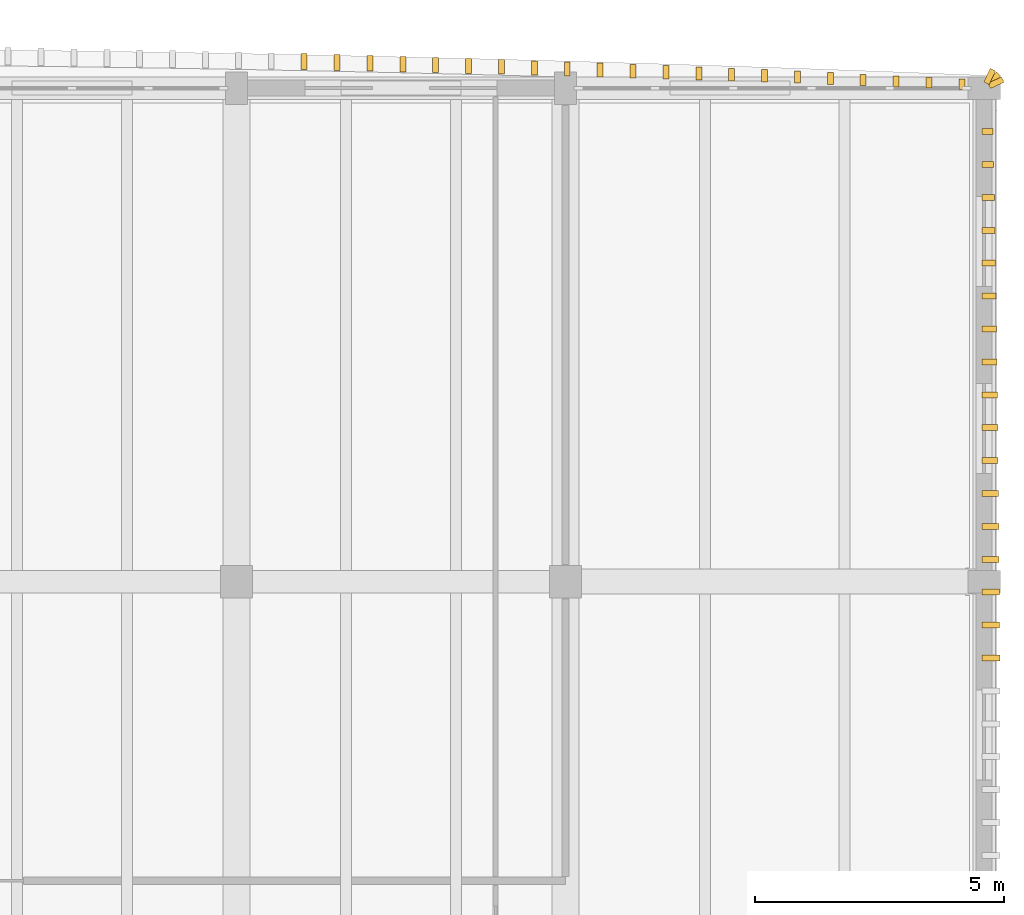
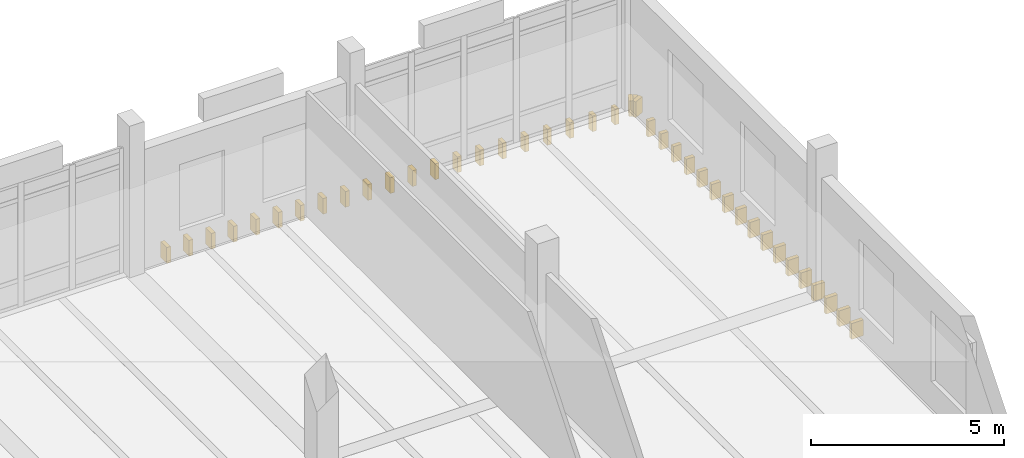
# One storey, part 37 of 37: 41 coverings.
"""IFC4 building model written with IfcOpenShell, lengths in metres."""

from ifc_helpers import new_model, si_unit, direction, frame, origin, origin_2d, place, context, subcontext, project, spatial, rectangle, extrude, material, layer, layer_set, type_object, element, save


model = new_model("IFC4")

# Units and contexts
model_context = context("Model", 3, precision=1e-05, world=origin(), true_north=direction((0.0, 1.0)))
body_context = subcontext(model_context, "Body", "Model", "MODEL_VIEW")
ifc_project = project(units=[si_unit("LENGTHUNIT", "METRE"), si_unit("AREAUNIT", "SQUARE_METRE"), si_unit("VOLUMEUNIT", "CUBIC_METRE"), si_unit("PLANEANGLEUNIT", "RADIAN"), si_unit("MASSUNIT", "GRAM", prefix="KILO")], contexts=[model_context])

# Site, building, storey
site_placement = place(None, origin())
site = spatial("IfcSite", under=ifc_project, at=site_placement, CompositionType="ELEMENT")
building_placement = place(site_placement, origin())
building = spatial("IfcBuilding", under=site, at=building_placement, Name="Dornvale Research Institute", CompositionType="ELEMENT")
storey_placement = place(building_placement, frame((0.0, 0.0, 29.39990234375)))
storey = spatial("IfcBuildingStorey", under=building, at=storey_placement, Name="L06", CompositionType="ELEMENT", Elevation=29.39990234375)

# Coverings
ifc_material = material(Name="Polychrome Glazed Terracotta Visor Rib Ceramic", Category="masonry")
ifc_layer = layer(ifc_material, 0.1201171875)
ifc_layer_set = layer_set([ifc_layer], Name="Polychrome Glazed Terracotta Visor Rib Ceramic")
covering_type = type_object("IfcCoveringType", Name="Covering_VisorBlade_Low", PredefinedType="CLADDING", material=ifc_layer_set)
covering_1_placement = place(storey_placement, frame((172.9501953125, 122.18017578125, -0.489990234375), z_axis=(0.0, 0.0, 1.0), x_axis=(0.0, 1.0, 0.0)))
element("IfcCovering", 1, at=covering_1_placement, inside=storey, type_object=covering_type, Name="L06 V4 canted glazed terracotta visor blade #3107", PredefinedType="CLADDING", context=body_context, shape_type="SweptSolid", body=[
    extrude(rectangle(XDim=0.205078125, YDim=0.1201171875, at=origin_2d()), origin(), (0.0, 0.0, 1.0), 0.5),
])
covering_2_placement = place(storey_placement, frame((172.290771484375, 122.209716796875, -0.489990234375), z_axis=(0.0, 0.0, 1.0), x_axis=(0.0, 1.0, 0.0)))
element("IfcCovering", 2, at=covering_2_placement, inside=storey, type_object=covering_type, Name="L06 V4 canted glazed terracotta visor blade #3108", PredefinedType="CLADDING", context=body_context, shape_type="SweptSolid", body=[
    extrude(rectangle(XDim=0.212890625, YDim=0.1201171875, at=origin_2d()), origin(), (0.0, 0.0, 1.0), 0.5),
])
covering_3_placement = place(storey_placement, frame((171.63134765625, 122.23876953125, -0.489990234375), z_axis=(0.0, 0.0, 1.0), x_axis=(0.0, 1.0, 0.0)))
element("IfcCovering", 3, at=covering_3_placement, inside=storey, type_object=covering_type, Name="L06 V4 canted glazed terracotta visor blade #3109", PredefinedType="CLADDING", context=body_context, shape_type="SweptSolid", body=[
    extrude(rectangle(XDim=0.219970703125, YDim=0.1201171875, at=origin_2d()), origin(), (0.0, 0.0, 1.0), 0.5),
])
covering_4_placement = place(storey_placement, frame((170.9716796875, 122.2666015625, -0.489990234375), z_axis=(0.0, 0.0, 1.0), x_axis=(0.0, 1.0, 0.0)))
element("IfcCovering", 4, at=covering_4_placement, inside=storey, type_object=covering_type, Name="L06 V4 canted glazed terracotta visor blade #3110", PredefinedType="CLADDING", context=body_context, shape_type="SweptSolid", body=[
    extrude(rectangle(XDim=0.22705078125, YDim=0.1201171875, at=origin_2d()), origin(), (0.0, 0.0, 1.0), 0.5),
])
covering_5_placement = place(storey_placement, frame((170.312255859375, 122.294189453125, -0.489990234375), z_axis=(0.0, 0.0, 1.0), x_axis=(0.0, 1.0, 0.0)))
element("IfcCovering", 5, at=covering_5_placement, inside=storey, type_object=covering_type, Name="L06 V4 canted glazed terracotta visor blade #3111", PredefinedType="CLADDING", context=body_context, shape_type="SweptSolid", body=[
    extrude(rectangle(XDim=0.23388671875, YDim=0.1201171875, at=origin_2d()), origin(), (0.0, 0.0, 1.0), 0.5),
])
covering_6_placement = place(storey_placement, frame((169.652587890625, 122.32080078125, -0.489990234375), z_axis=(0.0, 0.0, 1.0), x_axis=(0.0, 1.0, 0.0)))
element("IfcCovering", 6, at=covering_6_placement, inside=storey, type_object=covering_type, Name="L06 V4 canted glazed terracotta visor blade #3112", PredefinedType="CLADDING", context=body_context, shape_type="SweptSolid", body=[
    extrude(rectangle(XDim=0.240966796875, YDim=0.1201171875, at=origin_2d()), origin(), (0.0, 0.0, 1.0), 0.5),
])
covering_7_placement = place(storey_placement, frame((168.992919921875, 122.3466796875, -0.489990234375), z_axis=(0.0, 0.0, 1.0), x_axis=(0.0, 1.0, 0.0)))
element("IfcCovering", 7, at=covering_7_placement, inside=storey, type_object=covering_type, Name="L06 V4 canted glazed terracotta visor blade #3113", PredefinedType="CLADDING", context=body_context, shape_type="SweptSolid", body=[
    extrude(rectangle(XDim=0.248046875, YDim=0.1201171875, at=origin_2d()), origin(), (0.0, 0.0, 1.0), 0.5),
])
covering_8_placement = place(storey_placement, frame((168.33349609375, 122.3720703125, -0.489990234375), z_axis=(0.0, 0.0, 1.0), x_axis=(0.0, 1.0, 0.0)))
element("IfcCovering", 8, at=covering_8_placement, inside=storey, type_object=covering_type, Name="L06 V4 canted glazed terracotta visor blade #3114", PredefinedType="CLADDING", context=body_context, shape_type="SweptSolid", body=[
    extrude(rectangle(XDim=0.25390625, YDim=0.1201171875, at=origin_2d()), origin(), (0.0, 0.0, 1.0), 0.5),
])
covering_9_placement = place(storey_placement, frame((167.673583984375, 122.39599609375, -0.489990234375), z_axis=(0.0, 0.0, 1.0), x_axis=(0.0, 1.0, 0.0)))
element("IfcCovering", 9, at=covering_9_placement, inside=storey, type_object=covering_type, Name="L06 V4 canted glazed terracotta visor blade #3115", PredefinedType="CLADDING", context=body_context, shape_type="SweptSolid", body=[
    extrude(rectangle(XDim=0.260009765625, YDim=0.1201171875, at=origin_2d()), origin(), (0.0, 0.0, 1.0), 0.5),
])
covering_10_placement = place(storey_placement, frame((167.01416015625, 122.419921875, -0.489990234375), z_axis=(0.0, 0.0, 1.0), x_axis=(0.0, 1.0, 0.0)))
element("IfcCovering", 10, at=covering_10_placement, inside=storey, type_object=covering_type, Name="L06 V4 canted glazed terracotta visor blade #3116", PredefinedType="CLADDING", context=body_context, shape_type="SweptSolid", body=[
    extrude(rectangle(XDim=0.26611328125, YDim=0.1201171875, at=origin_2d()), origin(), (0.0, 0.0, 1.0), 0.5),
])
covering_11_placement = place(storey_placement, frame((166.3544921875, 122.44287109375, -0.489990234375), z_axis=(0.0, 0.0, 1.0), x_axis=(0.0, 1.0, 0.0)))
element("IfcCovering", 11, at=covering_11_placement, inside=storey, type_object=covering_type, Name="L06 V4 canted glazed terracotta visor blade #3117", PredefinedType="CLADDING", context=body_context, shape_type="SweptSolid", body=[
    extrude(rectangle(XDim=0.27197265625, YDim=0.1201171875, at=origin_2d()), origin(), (0.0, 0.0, 1.0), 0.5),
])
covering_12_placement = place(storey_placement, frame((165.694580078125, 122.465087890625, -0.489990234375), z_axis=(0.0, 0.0, 1.0), x_axis=(0.0, 1.0, 0.0)))
element("IfcCovering", 12, at=covering_12_placement, inside=storey, type_object=covering_type, Name="L06 V4 canted glazed terracotta visor blade #3118", PredefinedType="CLADDING", context=body_context, shape_type="SweptSolid", body=[
    extrude(rectangle(XDim=0.278076171875, YDim=0.1201171875, at=origin_2d()), origin(), (0.0, 0.0, 1.0), 0.5),
])
covering_13_placement = place(storey_placement, frame((165.034912109375, 122.48681640625, -0.489990234375), z_axis=(0.0, 0.0, 1.0), x_axis=(0.0, 1.0, 0.0)))
element("IfcCovering", 13, at=covering_13_placement, inside=storey, type_object=covering_type, Name="L06 V4 canted glazed terracotta visor blade #3119", PredefinedType="CLADDING", context=body_context, shape_type="SweptSolid", body=[
    extrude(rectangle(XDim=0.282958984375, YDim=0.1201171875, at=origin_2d()), origin(), (0.0, 0.0, 1.0), 0.5),
])
covering_14_placement = place(storey_placement, frame((164.375244140625, 122.507080078125, -0.489990234375), z_axis=(0.0, 0.0, 1.0), x_axis=(0.0, 1.0, 0.0)))
element("IfcCovering", 14, at=covering_14_placement, inside=storey, type_object=covering_type, Name="L06 V4 canted glazed terracotta visor blade #3120", PredefinedType="CLADDING", context=body_context, shape_type="SweptSolid", body=[
    extrude(rectangle(XDim=0.2880859375, YDim=0.1201171875, at=origin_2d()), origin(), (0.0, 0.0, 1.0), 0.5),
])
covering_15_placement = place(storey_placement, frame((163.71533203125, 122.52734375, -0.489990234375), z_axis=(0.0, 0.0, 1.0), x_axis=(0.0, 1.0, 0.0)))
element("IfcCovering", 15, at=covering_15_placement, inside=storey, type_object=covering_type, Name="L06 V4 canted glazed terracotta visor blade #3121", PredefinedType="CLADDING", context=body_context, shape_type="SweptSolid", body=[
    extrude(rectangle(XDim=0.29296875, YDim=0.1201171875, at=origin_2d()), origin(), (0.0, 0.0, 1.0), 0.5),
])
covering_16_placement = place(storey_placement, frame((163.0556640625, 122.54638671875, -0.489990234375), z_axis=(0.0, 0.0, 1.0), x_axis=(0.0, 1.0, 0.0)))
element("IfcCovering", 16, at=covering_16_placement, inside=storey, type_object=covering_type, Name="L06 V4 canted glazed terracotta visor blade #3122", PredefinedType="CLADDING", context=body_context, shape_type="SweptSolid", body=[
    extrude(rectangle(XDim=0.298095703125, YDim=0.1201171875, at=origin_2d()), origin(), (0.0, 0.0, 1.0), 0.5),
])
covering_17_placement = place(storey_placement, frame((162.395751953125, 122.565185546875, -0.489990234375), z_axis=(0.0, 0.0, 1.0), x_axis=(0.0, 1.0, 0.0)))
element("IfcCovering", 17, at=covering_17_placement, inside=storey, type_object=covering_type, Name="L06 V4 canted glazed terracotta visor blade #3123", PredefinedType="CLADDING", context=body_context, shape_type="SweptSolid", body=[
    extrude(rectangle(XDim=0.302978515625, YDim=0.1201171875, at=origin_2d()), origin(), (0.0, 0.0, 1.0), 0.5),
])
covering_18_placement = place(storey_placement, frame((161.736083984375, 122.58349609375, -0.489990234375), z_axis=(0.0, 0.0, 1.0), x_axis=(0.0, 1.0, 0.0)))
element("IfcCovering", 18, at=covering_18_placement, inside=storey, type_object=covering_type, Name="L06 V4 canted glazed terracotta visor blade #3124", PredefinedType="CLADDING", context=body_context, shape_type="SweptSolid", body=[
    extrude(rectangle(XDim=0.30810546875, YDim=0.1201171875, at=origin_2d()), origin(), (0.0, 0.0, 1.0), 0.5),
])
covering_19_placement = place(storey_placement, frame((161.076171875, 122.60009765625, -0.489990234375), z_axis=(0.0, 0.0, 1.0), x_axis=(0.0, 1.0, 0.0)))
element("IfcCovering", 19, at=covering_19_placement, inside=storey, type_object=covering_type, Name="L06 V4 canted glazed terracotta visor blade #3125", PredefinedType="CLADDING", context=body_context, shape_type="SweptSolid", body=[
    extrude(rectangle(XDim=0.31201171875, YDim=0.1201171875, at=origin_2d()), origin(), (0.0, 0.0, 1.0), 0.5),
])
covering_20_placement = place(storey_placement, frame((160.416259765625, 122.616455078125, -0.489990234375), z_axis=(0.0, 0.0, 1.0), x_axis=(0.0, 1.0, 0.0)))
element("IfcCovering", 20, at=covering_20_placement, inside=storey, type_object=covering_type, Name="L06 V4 canted glazed terracotta visor blade #3126", PredefinedType="CLADDING", context=body_context, shape_type="SweptSolid", body=[
    extrude(rectangle(XDim=0.31591796875, YDim=0.1201171875, at=origin_2d()), origin(), (0.0, 0.0, 1.0), 0.5),
])
covering_21_placement = place(storey_placement, frame((159.75634765625, 122.632080078125, -0.489990234375), z_axis=(0.0, 0.0, 1.0), x_axis=(0.0, 1.0, 0.0)))
element("IfcCovering", 21, at=covering_21_placement, inside=storey, type_object=covering_type, Name="L06 V4 canted glazed terracotta visor blade #3127", PredefinedType="CLADDING", context=body_context, shape_type="SweptSolid", body=[
    extrude(rectangle(XDim=0.320068359375, YDim=0.1201171875, at=origin_2d()), origin(), (0.0, 0.0, 1.0), 0.5),
])
covering_22_placement = place(storey_placement, frame((173.535888671875, 110.669921875, -0.489990234375), z_axis=(0.0, 0.0, 1.0), x_axis=(1.0, 0.0, 0.0)))
element("IfcCovering", 22, at=covering_22_placement, inside=storey, type_object=covering_type, Name="L06 V4 canted glazed terracotta visor blade #3216", PredefinedType="CLADDING", context=body_context, shape_type="SweptSolid", body=[
    extrude(rectangle(XDim=0.35205078125, YDim=0.1201171875, at=origin_2d()), origin(), (0.0, 0.0, 1.0), 0.5),
])
covering_23_placement = place(storey_placement, frame((173.533935546875, 111.330078125, -0.489990234375), z_axis=(0.0, 0.0, 1.0), x_axis=(1.0, 0.0, 0.0)))
element("IfcCovering", 23, at=covering_23_placement, inside=storey, type_object=covering_type, Name="L06 V4 canted glazed terracotta visor blade #3217", PredefinedType="CLADDING", context=body_context, shape_type="SweptSolid", body=[
    extrude(rectangle(XDim=0.347900390625, YDim=0.1201171875, at=origin_2d()), origin(), (0.0, 0.0, 1.0), 0.5),
])
covering_24_placement = place(storey_placement, frame((173.531982421875, 111.989990234375, -0.489990234375), z_axis=(0.0, 0.0, 1.0), x_axis=(1.0, 0.0, 0.0)))
element("IfcCovering", 24, at=covering_24_placement, inside=storey, type_object=covering_type, Name="L06 V4 canted glazed terracotta visor blade #3218", PredefinedType="CLADDING", context=body_context, shape_type="SweptSolid", body=[
    extrude(rectangle(XDim=0.343994140625, YDim=0.1201171875, at=origin_2d()), origin(), (0.0, 0.0, 1.0), 0.5),
])
covering_25_placement = place(storey_placement, frame((173.529541015625, 112.64990234375, -0.489990234375), z_axis=(0.0, 0.0, 1.0), x_axis=(1.0, 0.0, 0.0)))
element("IfcCovering", 25, at=covering_25_placement, inside=storey, type_object=covering_type, Name="L06 V4 canted glazed terracotta visor blade #3219", PredefinedType="CLADDING", context=body_context, shape_type="SweptSolid", body=[
    extrude(rectangle(XDim=0.339111328125, YDim=0.1201171875, at=origin_2d()), origin(), (0.0, 0.0, 1.0), 0.5),
])
covering_26_placement = place(storey_placement, frame((173.526611328125, 113.31005859375, -0.489990234375), z_axis=(0.0, 0.0, 1.0), x_axis=(1.0, 0.0, 0.0)))
element("IfcCovering", 26, at=covering_26_placement, inside=storey, type_object=covering_type, Name="L06 V4 canted glazed terracotta visor blade #3220", PredefinedType="CLADDING", context=body_context, shape_type="SweptSolid", body=[
    extrude(rectangle(XDim=0.3330078125, YDim=0.1201171875, at=origin_2d()), origin(), (0.0, 0.0, 1.0), 0.5),
])
covering_27_placement = place(storey_placement, frame((173.5234375, 113.969970703125, -0.489990234375), z_axis=(0.0, 0.0, 1.0), x_axis=(1.0, 0.0, 0.0)))
element("IfcCovering", 27, at=covering_27_placement, inside=storey, type_object=covering_type, Name="L06 V4 canted glazed terracotta visor blade #3221", PredefinedType="CLADDING", context=body_context, shape_type="SweptSolid", body=[
    extrude(rectangle(XDim=0.326904296875, YDim=0.1201171875, at=origin_2d()), origin(), (0.0, 0.0, 1.0), 0.5),
])
covering_28_placement = place(storey_placement, frame((173.52001953125, 114.6298828125, -0.489990234375), z_axis=(0.0, 0.0, 1.0), x_axis=(1.0, 0.0, 0.0)))
element("IfcCovering", 28, at=covering_28_placement, inside=storey, type_object=covering_type, Name="L06 V4 canted glazed terracotta visor blade #3222", PredefinedType="CLADDING", context=body_context, shape_type="SweptSolid", body=[
    extrude(rectangle(XDim=0.320068359375, YDim=0.1201171875, at=origin_2d()), origin(), (0.0, 0.0, 1.0), 0.5),
])
covering_29_placement = place(storey_placement, frame((173.5166015625, 115.2900390625, -0.489990234375), z_axis=(0.0, 0.0, 1.0), x_axis=(1.0, 0.0, 0.0)))
element("IfcCovering", 29, at=covering_29_placement, inside=storey, type_object=covering_type, Name="L06 V4 canted glazed terracotta visor blade #3223", PredefinedType="CLADDING", context=body_context, shape_type="SweptSolid", body=[
    extrude(rectangle(XDim=0.31298828125, YDim=0.1201171875, at=origin_2d()), origin(), (0.0, 0.0, 1.0), 0.5),
])
covering_30_placement = place(storey_placement, frame((173.512451171875, 115.949951171875, -0.489990234375), z_axis=(0.0, 0.0, 1.0), x_axis=(1.0, 0.0, 0.0)))
element("IfcCovering", 30, at=covering_30_placement, inside=storey, type_object=covering_type, Name="L06 V4 canted glazed terracotta visor blade #3224", PredefinedType="CLADDING", context=body_context, shape_type="SweptSolid", body=[
    extrude(rectangle(XDim=0.304931640625, YDim=0.1201171875, at=origin_2d()), origin(), (0.0, 0.0, 1.0), 0.5),
])
covering_31_placement = place(storey_placement, frame((173.508056640625, 116.610107421875, -0.489990234375), z_axis=(0.0, 0.0, 1.0), x_axis=(1.0, 0.0, 0.0)))
element("IfcCovering", 31, at=covering_31_placement, inside=storey, type_object=covering_type, Name="L06 V4 canted glazed terracotta visor blade #3225", PredefinedType="CLADDING", context=body_context, shape_type="SweptSolid", body=[
    extrude(rectangle(XDim=0.2958984375, YDim=0.1201171875, at=origin_2d()), origin(), (0.0, 0.0, 1.0), 0.5),
])
covering_32_placement = place(storey_placement, frame((173.50341796875, 117.27001953125, -0.489990234375), z_axis=(0.0, 0.0, 1.0), x_axis=(1.0, 0.0, 0.0)))
element("IfcCovering", 32, at=covering_32_placement, inside=storey, type_object=covering_type, Name="L06 V4 canted glazed terracotta visor blade #3226", PredefinedType="CLADDING", context=body_context, shape_type="SweptSolid", body=[
    extrude(rectangle(XDim=0.287109375, YDim=0.1201171875, at=origin_2d()), origin(), (0.0, 0.0, 1.0), 0.5),
])
covering_33_placement = place(storey_placement, frame((173.49853515625, 117.929931640625, -0.489990234375), z_axis=(0.0, 0.0, 1.0), x_axis=(1.0, 0.0, 0.0)))
element("IfcCovering", 33, at=covering_33_placement, inside=storey, type_object=covering_type, Name="L06 V4 canted glazed terracotta visor blade #3227", PredefinedType="CLADDING", context=body_context, shape_type="SweptSolid", body=[
    extrude(rectangle(XDim=0.277099609375, YDim=0.1201171875, at=origin_2d()), origin(), (0.0, 0.0, 1.0), 0.5),
])
covering_34_placement = place(storey_placement, frame((173.493408203125, 118.590087890625, -0.489990234375), z_axis=(0.0, 0.0, 1.0), x_axis=(1.0, 0.0, 0.0)))
element("IfcCovering", 34, at=covering_34_placement, inside=storey, type_object=covering_type, Name="L06 V4 canted glazed terracotta visor blade #3228", PredefinedType="CLADDING", context=body_context, shape_type="SweptSolid", body=[
    extrude(rectangle(XDim=0.26708984375, YDim=0.1201171875, at=origin_2d()), origin(), (0.0, 0.0, 1.0), 0.5),
])
covering_35_placement = place(storey_placement, frame((173.488037109375, 119.25, -0.489990234375), z_axis=(0.0, 0.0, 1.0), x_axis=(1.0, 0.0, 0.0)))
element("IfcCovering", 35, at=covering_35_placement, inside=storey, type_object=covering_type, Name="L06 V4 canted glazed terracotta visor blade #3229", PredefinedType="CLADDING", context=body_context, shape_type="SweptSolid", body=[
    extrude(rectangle(XDim=0.256103515625, YDim=0.1201171875, at=origin_2d()), origin(), (0.0, 0.0, 1.0), 0.5),
])
covering_36_placement = place(storey_placement, frame((173.48193359375, 119.909912109375, -0.489990234375), z_axis=(0.0, 0.0, 1.0), x_axis=(1.0, 0.0, 0.0)))
element("IfcCovering", 36, at=covering_36_placement, inside=storey, type_object=covering_type, Name="L06 V4 canted glazed terracotta visor blade #3230", PredefinedType="CLADDING", context=body_context, shape_type="SweptSolid", body=[
    extrude(rectangle(XDim=0.243896484375, YDim=0.1201171875, at=origin_2d()), origin(), (0.0, 0.0, 1.0), 0.5),
])
covering_37_placement = place(storey_placement, frame((173.4755859375, 120.570068359375, -0.489990234375), z_axis=(0.0, 0.0, 1.0), x_axis=(1.0, 0.0, 0.0)))
element("IfcCovering", 37, at=covering_37_placement, inside=storey, type_object=covering_type, Name="L06 V4 canted glazed terracotta visor blade #3231", PredefinedType="CLADDING", context=body_context, shape_type="SweptSolid", body=[
    extrude(rectangle(XDim=0.23095703125, YDim=0.1201171875, at=origin_2d()), origin(), (0.0, 0.0, 1.0), 0.5),
])
covering_38_placement = place(storey_placement, frame((173.468994140625, 121.22998046875, -0.489990234375), z_axis=(0.0, 0.0, 1.0), x_axis=(1.0, 0.0, 0.0)))
element("IfcCovering", 38, at=covering_38_placement, inside=storey, type_object=covering_type, Name="L06 V4 canted glazed terracotta visor blade #3232", PredefinedType="CLADDING", context=body_context, shape_type="SweptSolid", body=[
    extrude(rectangle(XDim=0.218017578125, YDim=0.1201171875, at=origin_2d()), origin(), (0.0, 0.0, 1.0), 0.5),
])
for number, where, z_axis, x_axis, name in (
    (39, (173.635498046875, 122.2099609375, -0.489990234375), (0.0, 0.0, 1.0), (0.906307787037, 0.422618261741, 0.0), "L06 V4 corner-wrapping visor blade #3283"),
    (40, (173.583740234375, 122.28369140625, -0.489990234375), (0.0, 0.0, 1.0), (0.707106781187, 0.707106781187, 0.0), "L06 V4 corner-wrapping visor blade #3284"),
    (41, (173.510009765625, 122.335693359375, -0.489990234375), (0.0, 0.0, 1.0), (0.422618261741, 0.906307787037, 0.0), "L06 V4 corner-wrapping visor blade #3285"),
):
    element("IfcCovering", number, at=place(storey_placement, frame(where, z_axis=z_axis, x_axis=x_axis)), inside=storey, type_object=covering_type, Name=name, PredefinedType="CLADDING", context=body_context, shape_type="SweptSolid", body=[
        extrude(rectangle(XDim=0.300048828125, YDim=0.1201171875, at=origin_2d()), origin(), (0.0, 0.0, 1.0), 0.5),
    ])

save(model, "model.ifc")
